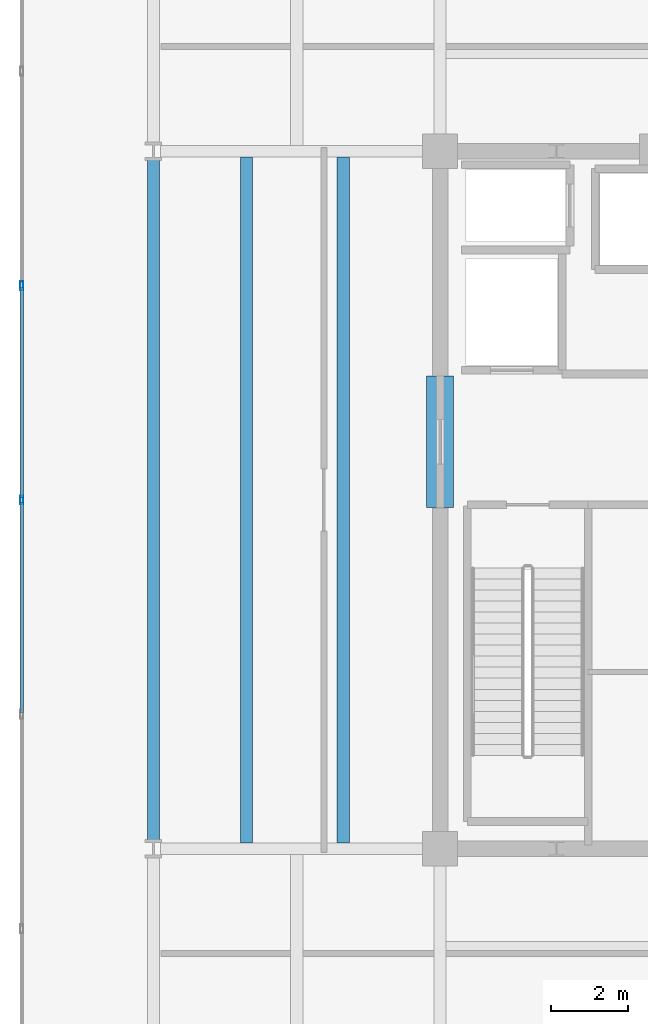
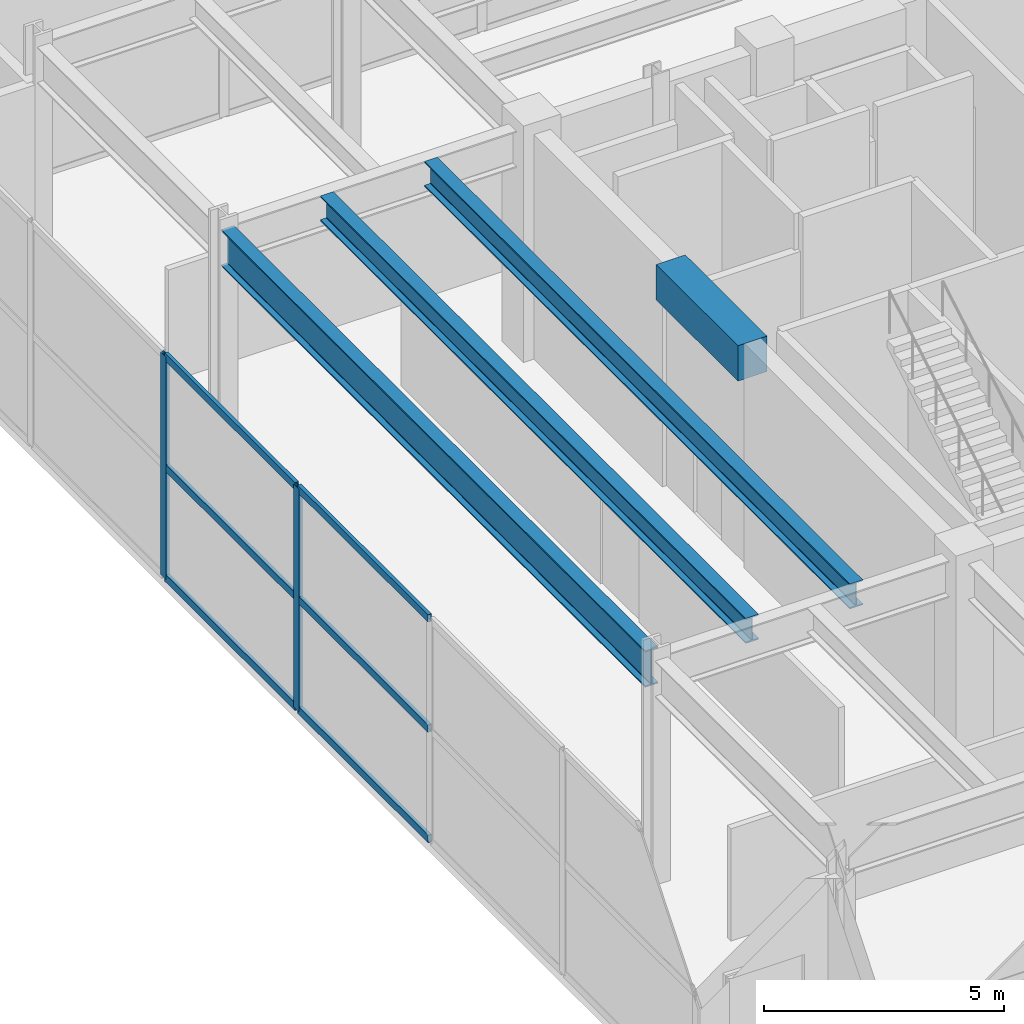
# One storey, part 7 of 21: 8 members, 4 beams, 1 element without a shape of its own.
"""IFC4 building model written with IfcOpenShell, lengths in metres."""

from ifc_helpers import new_model, si_unit, direction, frame, origin, origin_2d, place, context, subcontext, project, spatial, rectangle, hollow_rectangle, i_section, extrude, material, material_profile, profile_set, type_object, element, aggregate, save


model = new_model("IFC4")

# Units and contexts
model_context = context("Model", 3, precision=1e-05, world=origin(), true_north=direction((0.0, 1.0)))
body_context = subcontext(model_context, "Body", "Model", "MODEL_VIEW")
ifc_project = project(units=[si_unit("LENGTHUNIT", "METRE"), si_unit("AREAUNIT", "SQUARE_METRE"), si_unit("VOLUMEUNIT", "CUBIC_METRE"), si_unit("PLANEANGLEUNIT", "RADIAN"), si_unit("MASSUNIT", "GRAM", prefix="KILO")], contexts=[model_context])

# Site, building, storey
site_placement = place(None, origin())
site = spatial("IfcSite", under=ifc_project, at=site_placement, CompositionType="ELEMENT")
building_placement = place(site_placement, origin())
building = spatial("IfcBuilding", under=site, at=building_placement, Name="Kovane Verandah Tower", CompositionType="ELEMENT")
storey_placement = place(building_placement, frame((0.0, 0.0, 342.800048828125)))
storey = spatial("IfcBuildingStorey", under=building, at=storey_placement, Name="L80", CompositionType="ELEMENT", Elevation=342.800048828125)

# Beams
ifc_material_1 = material(Name="Concrete C60/75", Category="concrete")
ifc_material_profile_1 = material_profile(ifc_material_1, rectangle(XDim=0.699951171875, YDim=0.89990234375, at=origin_2d()), Name="RCB700x900")
ifc_profile_set_1 = profile_set([ifc_material_profile_1], Name="Concrete C60/75")
beam_type_1 = type_object("IfcBeamType", Name="BM-LINTEL-700x900", PredefinedType="LINTEL", material=ifc_profile_set_1)
beam_1_placement = place(storey_placement, frame((29.0, 27.300048828125, 5.25), z_axis=(0.0, 1.0, 0.0), x_axis=(-1.0, 0.0, 0.0)))
element("IfcBeam", 1, at=beam_1_placement, inside=storey, type_object=beam_type_1, Name="L80 Core Coupling Lintel CL-W", PredefinedType="LINTEL", context=body_context, shape_type="SweptSolid", body=[
    extrude(rectangle(XDim=0.699951171875, YDim=0.89990234375, at=origin_2d()), origin(), (0.0, 0.0, 1.0), 3.39990234375),
])
ifc_material_2 = material(Name="Steel S460", Category="steel")
ifc_material_profile_2 = material_profile(ifc_material_2, i_section(OverallWidth=0.311279296875, OverallDepth=0.6357421875, WebThickness=0.018310546875, FlangeThickness=0.031494140625, FilletRadius=0.0166015625, at=origin_2d()), Name="UB610x305x238")
ifc_profile_set_2 = profile_set([ifc_material_profile_2], Name="Steel S460")
beam_type_2 = type_object("IfcBeamType", Name="BM-UB610x238", PredefinedType="BEAM", material=ifc_profile_set_2)
for number, where, z_axis, x_axis, name in (
    (2, (24.0, 18.65185546875, 5.382080078125), (0.0, 1.0, 0.0), (-1.0, 0.0, 0.0), "L80 Secondary Composite Joist J-W1"),
    (3, (26.5, 18.65185546875, 5.382080078125), (0.0, 1.0, 0.0), (-1.0, 0.0, 0.0), "L80 Secondary Composite Joist J-W2"),
):
    element("IfcBeam", number, at=place(storey_placement, frame(where, z_axis=z_axis, x_axis=x_axis)), inside=storey, type_object=beam_type_2, Name=name, PredefinedType="BEAM", context=body_context, shape_type="SweptSolid", body=[
        extrude(i_section(OverallWidth=0.311279296875, OverallDepth=0.6357421875, WebThickness=0.018310546875, FlangeThickness=0.031494140625, FilletRadius=0.0166015625, at=origin_2d()), origin(), (0.0, 0.0, 1.0), 17.6962890625),
    ])
ifc_material_profile_3 = material_profile(ifc_material_2, i_section(OverallWidth=0.3076171875, OverallDepth=0.926513671875, WebThickness=0.01953125, FlangeThickness=0.031982421875, FilletRadius=0.01904296875, at=origin_2d()), Name="UB914x305x289")
ifc_profile_set_3 = profile_set([ifc_material_profile_3], Name="Steel S460")
beam_type_3 = type_object("IfcBeamType", Name="BM-UB914x289", PredefinedType="BEAM", material=ifc_profile_set_3)
beam_2_placement = place(storey_placement, frame((21.60009765625, 18.679931640625, 5.236572265625), z_axis=(0.0, 1.0, 0.0), x_axis=(-1.0, 0.0, 0.0)))
element("IfcBeam", 4, at=beam_2_placement, inside=storey, type_object=beam_type_3, Name="L80 Primary Tower Girder G-RW2", PredefinedType="BEAM", context=body_context, shape_type="SweptSolid", body=[
    extrude(i_section(OverallWidth=0.3076171875, OverallDepth=0.926513671875, WebThickness=0.01953125, FlangeThickness=0.031982421875, FilletRadius=0.01904296875, at=origin_2d()), origin(), (0.0, 0.0, 1.0), 17.64013671875),
])

# Curtain wall, members
ifc_material_3 = material(Name="Champagne Anodised Aluminium Frame with Low-E Clear Laminated Glass", Category="aluminium")
curtain_wall_type = type_object("IfcCurtainWallType", Name="CW-SYS-06-CROWN", PredefinedType="NOTDEFINED", material=ifc_material_3)
curtain_wall_placement = place(storey_placement, origin())
curtain_wall = element("IfcCurtainWall", 5, at=curtain_wall_placement, inside=storey, type_object=curtain_wall_type, Name="L80 W Unitised Curtain Wall", PredefinedType="NOTDEFINED")
ifc_material_4 = material(Name="Champagne Anodised Aluminium 6063-T6", Category="aluminium")
ifc_material_profile_4 = material_profile(ifc_material_4, hollow_rectangle(XDim=0.0849609375, YDim=0.22998046875, WallThickness=0.00390625, at=origin_2d()), Name="AL85x230x4")
ifc_profile_set_4 = profile_set([ifc_material_profile_4], Name="Champagne Anodised Aluminium 6063-T6")
member_type_1 = type_object("IfcMemberType", Name="CW-MUL-85x230", PredefinedType="MULLION", material=ifc_profile_set_4)
member_1_placement = place(storey_placement, frame((18.199951171875, 33.033203125, 0.02001953125), z_axis=(0.0, 0.0, 1.0), x_axis=(-1.0, 0.0, 0.0)))
member_1 = element("IfcMember", 6, at=member_1_placement, type_object=member_type_1, Name="L80 W Unitised Curtain Wall Mullion 3", PredefinedType="MULLION", context=body_context, shape_type="SweptSolid", body=[
    extrude(hollow_rectangle(XDim=0.0849609375, YDim=0.22998046875, WallThickness=0.00390625, at=origin_2d()), origin(), (0.0, 0.0, 1.0), 5.659912109375),
])
member_2_placement = place(storey_placement, frame((18.199951171875, 27.5, 0.02001953125), z_axis=(0.0, 0.0, 1.0), x_axis=(-1.0, 0.0, 0.0)))
member_2 = element("IfcMember", 7, at=member_2_placement, type_object=member_type_1, Name="L80 W Unitised Curtain Wall Mullion 4", PredefinedType="MULLION", context=body_context, shape_type="SweptSolid", body=[
    extrude(hollow_rectangle(XDim=0.0849609375, YDim=0.22998046875, WallThickness=0.00390625, at=origin_2d()), origin(), (0.0, 0.0, 1.0), 5.659912109375),
])
ifc_material_profile_5 = material_profile(ifc_material_4, hollow_rectangle(XDim=0.0849609375, YDim=0.18994140625, WallThickness=0.00390625, at=origin_2d()), Name="AL85x190x4")
ifc_profile_set_5 = profile_set([ifc_material_profile_5], Name="Champagne Anodised Aluminium 6063-T6")
member_type_2 = type_object("IfcMemberType", Name="CW-TRN-85x190", PredefinedType="USERDEFINED", material=ifc_profile_set_5)
member_3_placement = place(storey_placement, frame((18.199951171875, 32.9833984375, 0.050048828125), z_axis=(0.0, -1.0, 0.0), x_axis=(1.0, 0.0, 0.0)))
member_3 = element("IfcMember", 8, at=member_3_placement, type_object=member_type_2, Name="L80 W Unitised Curtain Wall Transom TB Bay 3", ObjectType="TRANSOM", PredefinedType="USERDEFINED", context=body_context, shape_type="SweptSolid", body=[
    extrude(hollow_rectangle(XDim=0.0849609375, YDim=0.18994140625, WallThickness=0.00390625, at=origin_2d()), origin(), (0.0, 0.0, 1.0), 5.433349609375),
])
member_4_placement = place(storey_placement, frame((18.199951171875, 32.9833984375, 2.849853515625), z_axis=(0.0, -1.0, 0.0), x_axis=(1.0, 0.0, 0.0)))
member_4 = element("IfcMember", 9, at=member_4_placement, type_object=member_type_2, Name="L80 W Unitised Curtain Wall Transom TM Bay 3", ObjectType="TRANSOM", PredefinedType="USERDEFINED", context=body_context, shape_type="SweptSolid", body=[
    extrude(hollow_rectangle(XDim=0.0849609375, YDim=0.18994140625, WallThickness=0.00390625, at=origin_2d()), origin(), (0.0, 0.0, 1.0), 5.433349609375),
])
member_5_placement = place(storey_placement, frame((18.199951171875, 32.9833984375, 5.64990234375), z_axis=(0.0, -1.0, 0.0), x_axis=(1.0, 0.0, 0.0)))
member_5 = element("IfcMember", 10, at=member_5_placement, type_object=member_type_2, Name="L80 W Unitised Curtain Wall Transom TT Bay 3", ObjectType="TRANSOM", PredefinedType="USERDEFINED", context=body_context, shape_type="SweptSolid", body=[
    extrude(hollow_rectangle(XDim=0.0849609375, YDim=0.18994140625, WallThickness=0.00390625, at=origin_2d()), origin(), (0.0, 0.0, 1.0), 5.433349609375),
])
member_6_placement = place(storey_placement, frame((18.199951171875, 27.449951171875, 0.050048828125), z_axis=(0.0, -1.0, 0.0), x_axis=(1.0, 0.0, 0.0)))
member_6 = element("IfcMember", 11, at=member_6_placement, type_object=member_type_2, Name="L80 W Unitised Curtain Wall Transom TB Bay 4", ObjectType="TRANSOM", PredefinedType="USERDEFINED", context=body_context, shape_type="SweptSolid", body=[
    extrude(hollow_rectangle(XDim=0.0849609375, YDim=0.18994140625, WallThickness=0.00390625, at=origin_2d()), origin(), (0.0, 0.0, 1.0), 5.433349609375),
])
member_7_placement = place(storey_placement, frame((18.199951171875, 27.449951171875, 2.849853515625), z_axis=(0.0, -1.0, 0.0), x_axis=(1.0, 0.0, 0.0)))
member_7 = element("IfcMember", 12, at=member_7_placement, type_object=member_type_2, Name="L80 W Unitised Curtain Wall Transom TM Bay 4", ObjectType="TRANSOM", PredefinedType="USERDEFINED", context=body_context, shape_type="SweptSolid", body=[
    extrude(hollow_rectangle(XDim=0.0849609375, YDim=0.18994140625, WallThickness=0.00390625, at=origin_2d()), origin(), (0.0, 0.0, 1.0), 5.433349609375),
])
member_8_placement = place(storey_placement, frame((18.199951171875, 27.449951171875, 5.64990234375), z_axis=(0.0, -1.0, 0.0), x_axis=(1.0, 0.0, 0.0)))
member_8 = element("IfcMember", 13, at=member_8_placement, type_object=member_type_2, Name="L80 W Unitised Curtain Wall Transom TT Bay 4", ObjectType="TRANSOM", PredefinedType="USERDEFINED", context=body_context, shape_type="SweptSolid", body=[
    extrude(hollow_rectangle(XDim=0.0849609375, YDim=0.18994140625, WallThickness=0.00390625, at=origin_2d()), origin(), (0.0, 0.0, 1.0), 5.433349609375),
])
aggregate(curtain_wall, [member_1, member_2, member_3, member_4, member_5, member_6, member_7, member_8])

save(model, "model.ifc")
